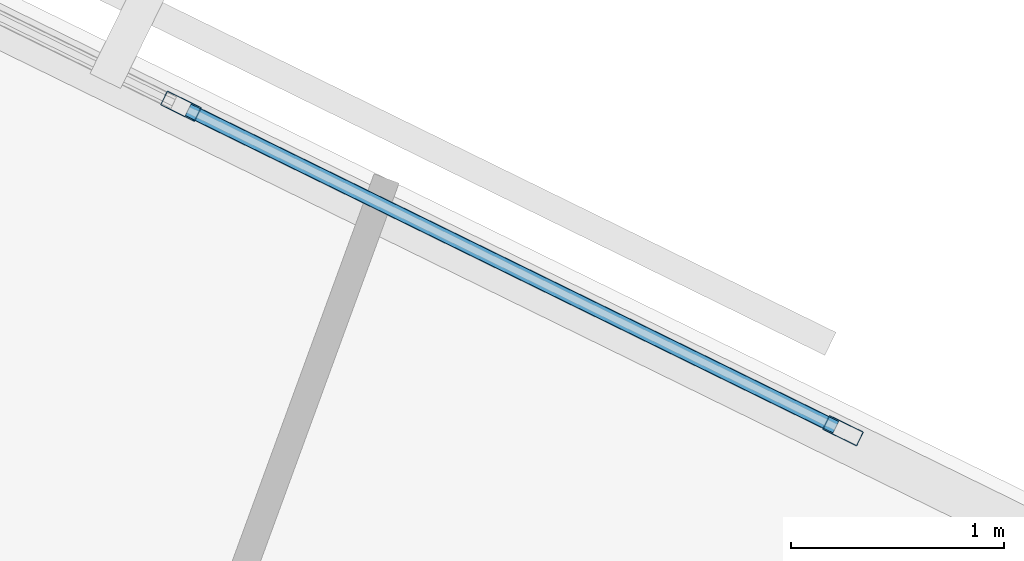
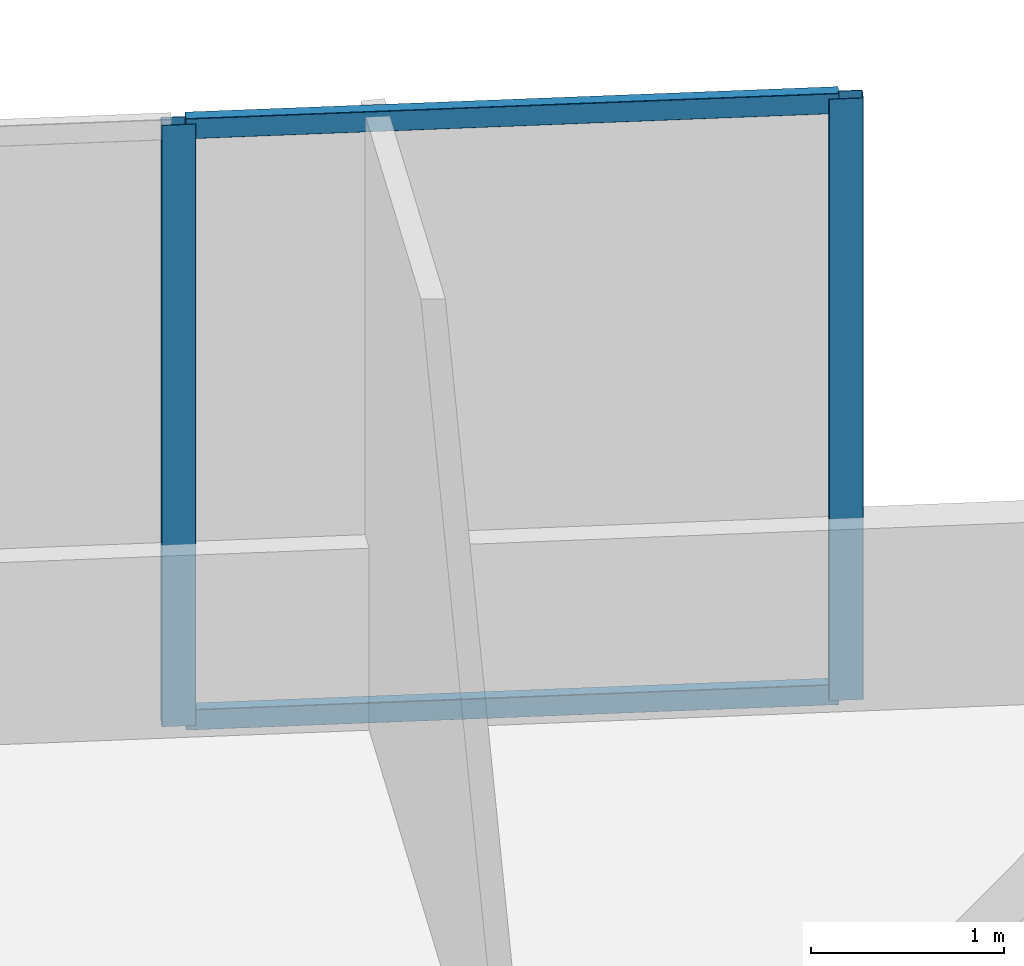
# One storey, part 2 of 19: 4 members, 1 element without a shape of its own.
"""IFC4 building model written with IfcOpenShell, lengths in metres."""

from ifc_helpers import new_model, si_unit, direction, frame, origin, origin_2d, place, context, subcontext, project, spatial, hollow_rectangle, extrude, material, material_profile, profile_set, type_object, element, aggregate, save


model = new_model("IFC4")

# Units and contexts
model_context = context("Model", 3, precision=1e-05, world=origin(), true_north=direction((0.0, 1.0)))
body_context = subcontext(model_context, "Body", "Model", "MODEL_VIEW")
ifc_project = project(units=[si_unit("LENGTHUNIT", "METRE"), si_unit("AREAUNIT", "SQUARE_METRE"), si_unit("VOLUMEUNIT", "CUBIC_METRE"), si_unit("PLANEANGLEUNIT", "RADIAN"), si_unit("MASSUNIT", "GRAM", prefix="KILO")], contexts=[model_context])

# Site, building, storey
site_placement = place(None, origin())
site = spatial("IfcSite", under=ifc_project, at=site_placement, CompositionType="ELEMENT")
building_placement = place(site_placement, origin())
building = spatial("IfcBuilding", under=site, at=building_placement, Name="Narakoshi Arena Tower", CompositionType="ELEMENT")
storey_placement = place(building_placement, frame((0.0, 0.0, 128.10009765625)))
storey = spatial("IfcBuildingStorey", under=building, at=storey_placement, Name="L34", CompositionType="ELEMENT", Elevation=128.10009765625)

# Curtain wall, members
ifc_material = material(Name="Anodised bronze aluminium 6063-T6", Category="aluminium")
curtain_wall_type = type_object("IfcCurtainWallType", Name="CW-HYP-LOW", PredefinedType="NOTDEFINED", material=ifc_material)
curtain_wall_placement = place(storey_placement, origin())
curtain_wall = element("IfcCurtainWall", 1, at=curtain_wall_placement, inside=storey, type_object=curtain_wall_type, Name="L34 Folded Hypotenuse Curtain Wall 2-1", PredefinedType="NOTDEFINED")
ifc_material_profile_1 = material_profile(ifc_material, hollow_rectangle(XDim=0.074951171875, YDim=0.179931640625, WallThickness=0.00390625, OuterFilletRadius=0.0048828125, at=origin_2d()), Name="MUL180x75x4")
ifc_profile_set_1 = profile_set([ifc_material_profile_1], Name="Anodised bronze aluminium 6063-T6")
member_type_1 = type_object("IfcMemberType", Name="MEM-MUL-180", PredefinedType="MULLION", material=ifc_profile_set_1)
member_1_placement = place(storey_placement, frame((87.598876953125, 62.51513671875, 0.0), z_axis=(0.0, 0.0, 1.0), x_axis=(-0.44000392268, -0.897995850784, 0.0)))
member_1 = element("IfcMember", 2, at=member_1_placement, type_object=member_type_1, Name="CW-01 mullion 1", PredefinedType="MULLION", context=body_context, shape_type="SweptSolid", body=[
    extrude(hollow_rectangle(XDim=0.074951171875, YDim=0.179931640625, WallThickness=0.00390625, OuterFilletRadius=0.0048828125, at=origin_2d()), origin(), (0.0, 0.0, 1.0), 3.7998046875),
])
member_2_placement = place(storey_placement, frame((84.490478515625, 64.038330078125, 0.0), z_axis=(0.0, 0.0, 1.0), x_axis=(-0.44000392268, -0.897995850784, 0.0)))
member_2 = element("IfcMember", 3, at=member_2_placement, type_object=member_type_1, Name="CW-01 mullion 2", PredefinedType="MULLION", context=body_context, shape_type="SweptSolid", body=[
    extrude(hollow_rectangle(XDim=0.074951171875, YDim=0.179931640625, WallThickness=0.00390625, OuterFilletRadius=0.0048828125, at=origin_2d()), origin(), (0.0, 0.0, 1.0), 3.7998046875),
])
ifc_material_profile_2 = material_profile(ifc_material, hollow_rectangle(XDim=0.06494140625, YDim=0.1298828125, WallThickness=0.00390625, OuterFilletRadius=0.0048828125, at=origin_2d()), Name="TRN130x65x4")
ifc_profile_set_2 = profile_set([ifc_material_profile_2], Name="Anodised bronze aluminium 6063-T6")
member_type_2 = type_object("IfcMemberType", Name="MEM-TRN-130", PredefinedType="USERDEFINED", material=ifc_profile_set_2)
member_3_placement = place(storey_placement, frame((87.565185546875, 62.531494140625, 0.032470703125), z_axis=(-0.897988307708, 0.44001931687, 0.0), x_axis=(-0.44001931687, -0.897988307708, 0.0)))
member_3 = element("IfcMember", 4, at=member_3_placement, type_object=member_type_2, Name="CW-01 transom 1.1", ObjectType="TRANSOM", PredefinedType="USERDEFINED", context=body_context, shape_type="SweptSolid", body=[
    extrude(hollow_rectangle(XDim=0.06494140625, YDim=0.1298828125, WallThickness=0.00390625, OuterFilletRadius=0.0048828125, at=origin_2d()), origin(), (0.0, 0.0, 1.0), 3.38671875),
])
member_4_placement = place(storey_placement, frame((87.565185546875, 62.531494140625, 3.767333984375), z_axis=(-0.897988307708, 0.44001931687, 0.0), x_axis=(-0.44001931687, -0.897988307708, 0.0)))
member_4 = element("IfcMember", 5, at=member_4_placement, type_object=member_type_2, Name="CW-01 transom 1.2", ObjectType="TRANSOM", PredefinedType="USERDEFINED", context=body_context, shape_type="SweptSolid", body=[
    extrude(hollow_rectangle(XDim=0.06494140625, YDim=0.1298828125, WallThickness=0.00390625, OuterFilletRadius=0.0048828125, at=origin_2d()), origin(), (0.0, 0.0, 1.0), 3.38671875),
])
aggregate(curtain_wall, [member_1, member_2, member_3, member_4])

save(model, "model.ifc")
